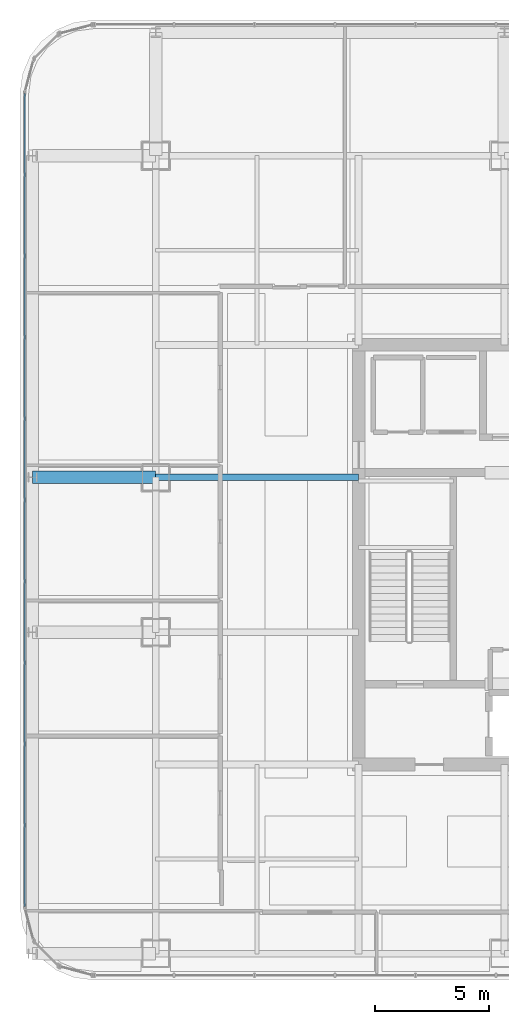
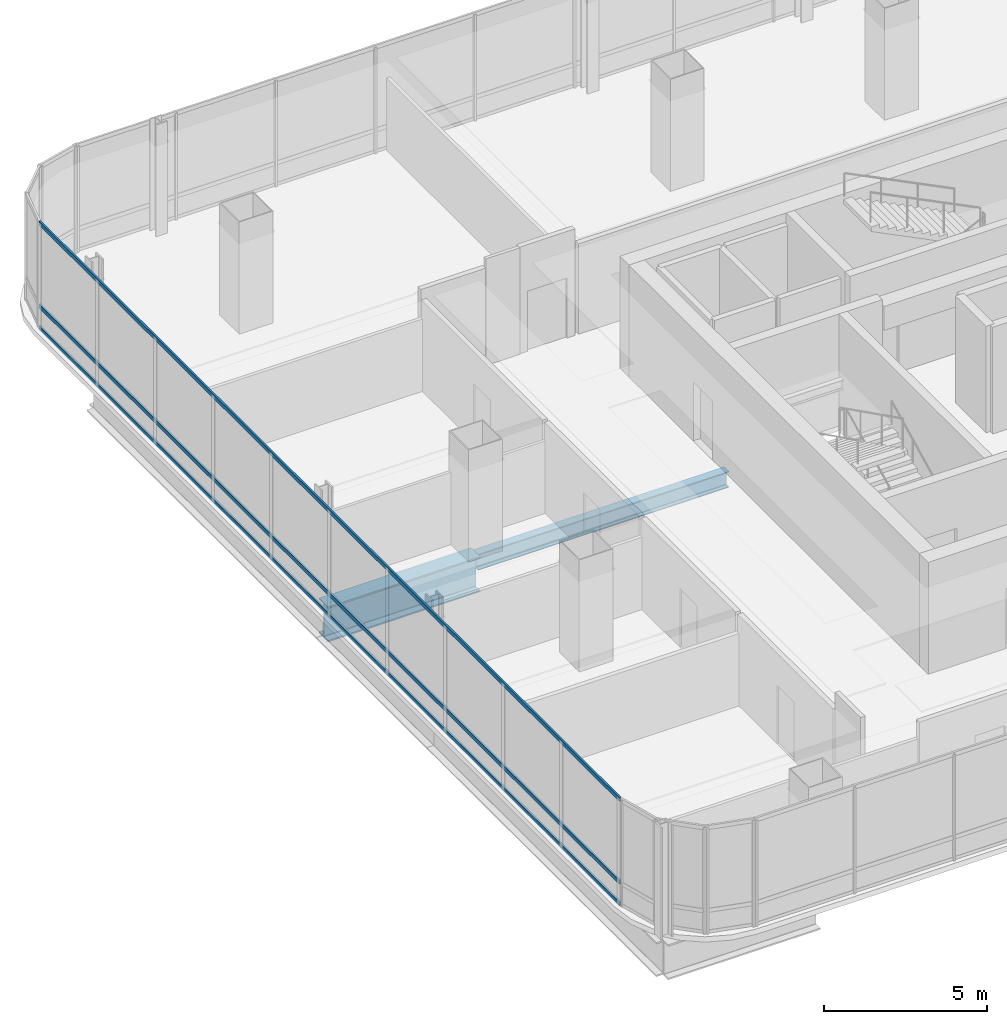
# One storey, part 12 of 42: 3 members, 2 beams, 1 element without a shape of its own.
"""IFC4 building model written with IfcOpenShell, lengths in metres."""

from ifc_helpers import new_model, si_unit, direction, frame, origin, origin_2d, place, context, subcontext, project, spatial, hollow_rectangle, i_section, extrude, material, material_profile, profile_set, type_object, element, aggregate, save


model = new_model("IFC4")

# Units and contexts
model_context = context("Model", 3, precision=1e-05, world=origin(), true_north=direction((0.0, 1.0)))
body_context = subcontext(model_context, "Body", "Model", "MODEL_VIEW")
ifc_project = project(units=[si_unit("LENGTHUNIT", "METRE"), si_unit("AREAUNIT", "SQUARE_METRE"), si_unit("VOLUMEUNIT", "CUBIC_METRE"), si_unit("PLANEANGLEUNIT", "RADIAN"), si_unit("MASSUNIT", "GRAM", prefix="KILO")], contexts=[model_context])

# Site, building, storey
site_placement = place(None, origin())
site = spatial("IfcSite", under=ifc_project, at=site_placement, CompositionType="ELEMENT")
building_placement = place(site_placement, origin())
building = spatial("IfcBuilding", under=site, at=building_placement, Name="Punatoya Terracotta Tower", CompositionType="ELEMENT")
storey_placement = place(building_placement, frame((0.0, 0.0, 296.39990234375)))
storey = spatial("IfcBuildingStorey", under=building, at=storey_placement, Name="L70", CompositionType="ELEMENT", Elevation=296.39990234375)

# Beams
ifc_material_1 = material(Name="Steel S355", Category="steel")
ifc_material_profile_1 = material_profile(ifc_material_1, i_section(OverallWidth=0.300048828125, OverallDepth=0.60009765625, WebThickness=0.015380859375, FlangeThickness=0.030029296875, FilletRadius=0.01806640625, at=origin_2d()))
ifc_profile_set_1 = profile_set([ifc_material_profile_1], Name="Steel S355")
beam_type_1 = type_object("IfcBeamType", Name="BM-PRI-600", PredefinedType="BEAM", material=ifc_profile_set_1)
beam_1_placement = place(storey_placement, frame((-19.10009765625, 3.39990234375, -0.5), z_axis=(1.0, 0.0, 0.0), x_axis=(0.0, 1.0, 0.0)))
element("IfcBeam", 1, at=beam_1_placement, inside=storey, type_object=beam_type_1, Name="BM-L70-PR-WE", PredefinedType="BEAM", context=body_context, shape_type="SweptSolid", body=[
    extrude(i_section(OverallWidth=0.300048828125, OverallDepth=0.60009765625, WebThickness=0.015380859375, FlangeThickness=0.030029296875, FilletRadius=0.01806640625, at=origin_2d()), origin(), (0.0, 0.0, 1.0), 8.900146484375),
])
ifc_material_2 = material(Name="Steel S460", Category="steel")
ifc_material_profile_2 = material_profile(ifc_material_2, i_section(OverallWidth=0.56005859375, OverallDepth=1.320068359375, WebThickness=0.035888671875, FlangeThickness=0.054931640625, FilletRadius=0.01806640625, at=origin_2d()))
ifc_profile_set_2 = profile_set([ifc_material_profile_2], Name="Steel S460")
beam_type_2 = type_object("IfcBeamType", Name="BM-TG-BLK", PredefinedType="BEAM", material=ifc_profile_set_2)
beam_2_placement = place(storey_placement, frame((-24.5, 3.39990234375, -0.85986328125), z_axis=(1.0, 0.0, 0.0), x_axis=(0.0, 1.0, 0.0)))
element("IfcBeam", 2, at=beam_2_placement, inside=storey, type_object=beam_type_2, Name="BM-L70-CANT-W3", PredefinedType="BEAM", context=body_context, shape_type="SweptSolid", body=[
    extrude(i_section(OverallWidth=0.56005859375, OverallDepth=1.320068359375, WebThickness=0.035888671875, FlangeThickness=0.054931640625, FilletRadius=0.01806640625, at=origin_2d()), origin(), (0.0, 0.0, 1.0), 5.39990234375),
])

# Curtain wall, members
ifc_material_3 = material(Name="Aluminium 6063-T6 + Double Low-E Glass", Category="aluminium")
curtain_wall_type = type_object("IfcCurtainWallType", Name="CW-M3", PredefinedType="NOTDEFINED", material=ifc_material_3)
curtain_wall_placement = place(storey_placement, origin())
curtain_wall = element("IfcCurtainWall", 3, at=curtain_wall_placement, inside=storey, type_object=curtain_wall_type, Name="L70 Curtain Wall CW-L70-W13-1", PredefinedType="NOTDEFINED")
ifc_material_4 = material(Name="Aluminium 6063-T6", Category="aluminium")
ifc_material_profile_3 = material_profile(ifc_material_4, hollow_rectangle(XDim=0.068115234375, YDim=0.14990234375, WallThickness=0.00390625, at=origin_2d()))
ifc_profile_set_3 = profile_set([ifc_material_profile_3], Name="Aluminium 6063-T6")
member_type = type_object("IfcMemberType", Name="CW-TRN-TYP", PredefinedType="USERDEFINED", material=ifc_profile_set_3)
member_1_placement = place(storey_placement, frame((-24.85009765625, 20.23681640625, 0.0400390625), z_axis=(0.0, -1.0, 0.0), x_axis=(1.0, 0.0, 0.0)))
member_1 = element("IfcMember", 4, at=member_1_placement, type_object=member_type, Name="CW-L70-W13-1 Transom 1", ObjectType="TRANSOM", PredefinedType="USERDEFINED", context=body_context, shape_type="SweptSolid", body=[
    extrude(hollow_rectangle(XDim=0.068115234375, YDim=0.14990234375, WallThickness=0.00390625, at=origin_2d()), origin(), (0.0, 0.0, 1.0), 35.673828125),
])
member_2_placement = place(storey_placement, frame((-24.85009765625, 20.23681640625, 0.85009765625), z_axis=(0.0, -1.0, 0.0), x_axis=(1.0, 0.0, 0.0)))
member_2 = element("IfcMember", 5, at=member_2_placement, type_object=member_type, Name="CW-L70-W13-1 Transom 2", ObjectType="TRANSOM", PredefinedType="USERDEFINED", context=body_context, shape_type="SweptSolid", body=[
    extrude(hollow_rectangle(XDim=0.068115234375, YDim=0.14990234375, WallThickness=0.00390625, at=origin_2d()), origin(), (0.0, 0.0, 1.0), 35.673828125),
])
member_3_placement = place(storey_placement, frame((-24.85009765625, 20.23681640625, 3.960205078125), z_axis=(0.0, -1.0, 0.0), x_axis=(1.0, 0.0, 0.0)))
member_3 = element("IfcMember", 6, at=member_3_placement, type_object=member_type, Name="CW-L70-W13-1 Transom 3", ObjectType="TRANSOM", PredefinedType="USERDEFINED", context=body_context, shape_type="SweptSolid", body=[
    extrude(hollow_rectangle(XDim=0.068115234375, YDim=0.14990234375, WallThickness=0.00390625, at=origin_2d()), origin(), (0.0, 0.0, 1.0), 35.673828125),
])
aggregate(curtain_wall, [member_1, member_2, member_3])

save(model, "model.ifc")
